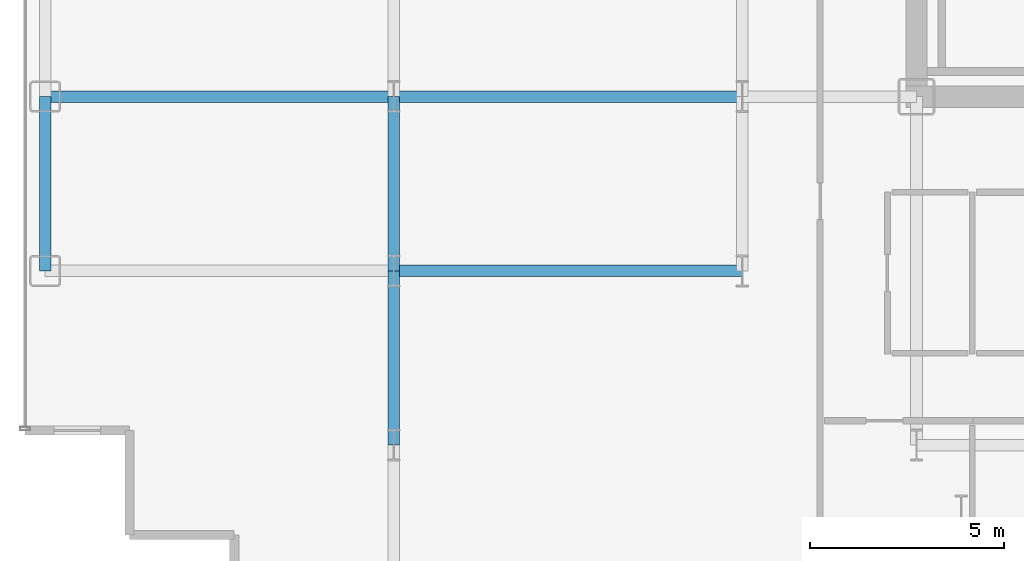
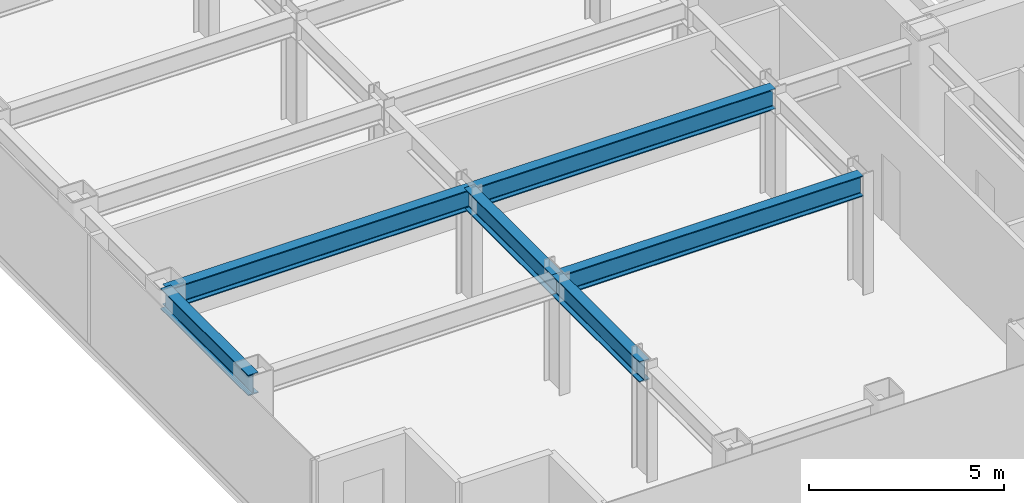
# One storey, part 4 of 22: 6 beams.
"""IFC4 building model written with IfcOpenShell, lengths in metres."""

from ifc_helpers import new_model, si_unit, direction, frame, origin, origin_2d, place, context, subcontext, project, spatial, i_section, extrude, source, transform, mapped, material, material_profile, profile_set, type_object, element, save


model = new_model("IFC4")

# Units and contexts
model_context = context("Model", 3, precision=1e-05, world=origin(), true_north=direction((0.0, 1.0)))
body_context = subcontext(model_context, "Body", "Model", "MODEL_VIEW")
ifc_project = project(units=[si_unit("LENGTHUNIT", "METRE"), si_unit("AREAUNIT", "SQUARE_METRE"), si_unit("VOLUMEUNIT", "CUBIC_METRE"), si_unit("PLANEANGLEUNIT", "RADIAN"), si_unit("MASSUNIT", "GRAM", prefix="KILO")], contexts=[model_context])

# Site, building, storey
site_placement = place(None, origin())
site = spatial("IfcSite", under=ifc_project, at=site_placement, CompositionType="ELEMENT")
building_placement = place(site_placement, origin())
building = spatial("IfcBuilding", under=site, at=building_placement, Name="Nefas-Gora Pilgrimage Tower", CompositionType="ELEMENT")
storey_placement = place(building_placement, frame((0.0, 0.0, 179.199951171875)))
storey = spatial("IfcBuildingStorey", under=building, at=storey_placement, Name="L44", CompositionType="ELEMENT", Elevation=179.199951171875)

# Beams
ifc_material = material(Name="Steel S355", Category="steel")
ifc_material_profile_1 = material_profile(ifc_material, i_section(OverallWidth=0.300048828125, OverallDepth=0.64990234375, WebThickness=0.01611328125, FlangeThickness=0.031005859375, FilletRadius=0.027099609375, at=origin_2d()), Name="HEB 650")
ifc_profile_set_1 = profile_set([ifc_material_profile_1], Name="Steel S355")
beam_type_1 = type_object("IfcBeamType", Name="BM-SPN-HEB500", PredefinedType="SPANDREL", material=ifc_profile_set_1)
shared_shape_1 = source(origin(), body_context, "Body", "SweptSolid", [
    extrude(i_section(OverallWidth=0.300048828125, OverallDepth=0.64990234375, WebThickness=0.01611328125, FlangeThickness=0.031005859375, FilletRadius=0.027099609375, at=origin_2d()), origin(), (0.0, 0.0, 1.0), 4.5),
])
beam_placement = place(storey_placement, frame((-33.75, -13.5, 3.22509765625), z_axis=(0.0, 1.0, 0.0), x_axis=(-1.0, 0.0, 0.0)))
element("IfcBeam", 1, at=beam_placement, inside=storey, type_object=beam_type_1, Name="L44 SP-02 beam", PredefinedType="SPANDREL", context=body_context, shape_type="MappedRepresentation", body=[
    mapped(shared_shape_1, transform((0.0, 0.0, 0.0), x_axis=(1.0, 0.0, 0.0), y_axis=(0.0, 1.0, 0.0), z_axis=(0.0, 0.0, 1.0), scale=1.0)),
])
ifc_material_profile_2 = material_profile(ifc_material, i_section(OverallWidth=0.300048828125, OverallDepth=0.64990234375, WebThickness=0.01611328125, FlangeThickness=0.031005859375, FilletRadius=0.027099609375, at=origin_2d()), Name="HEB 650")
ifc_profile_set_2 = profile_set([ifc_material_profile_2], Name="Steel S355")
beam_type_2 = type_object("IfcBeamType", Name="BM-GIR-HEB650", PredefinedType="BEAM", material=ifc_profile_set_2)
shared_shape_2 = source(origin(), body_context, "Body", "SweptSolid", [
    extrude(i_section(OverallWidth=0.300048828125, OverallDepth=0.64990234375, WebThickness=0.01611328125, FlangeThickness=0.031005859375, FilletRadius=0.027099609375, at=origin_2d()), origin(), (0.0, 0.0, 1.0), 9.0),
])
for number, where, z_axis, x_axis, name in (
    (2, (-33.75, -9.0, 3.22509765625), (1.0, 0.0, 0.0), (0.0, 1.0, 0.0), "L44 G-03 beam"),
    (3, (-24.75, -13.5, 3.22509765625), (1.0, 0.0, 0.0), (0.0, 1.0, 0.0), "L44 G-03 beam"),
    (4, (-24.75, -9.0, 3.22509765625), (1.0, 0.0, 0.0), (0.0, 1.0, 0.0), "L44 G-03 beam"),
):
    element("IfcBeam", number, at=place(storey_placement, frame(where, z_axis=z_axis, x_axis=x_axis)), inside=storey, type_object=beam_type_2, Name=name, PredefinedType="BEAM", context=body_context, shape_type="MappedRepresentation", body=[
        mapped(shared_shape_2, transform((0.0, 0.0, 0.0), x_axis=(1.0, 0.0, 0.0), y_axis=(0.0, 1.0, 0.0), z_axis=(0.0, 0.0, 1.0), scale=1.0)),
    ])
shared_shape_3 = source(origin(), body_context, "Body", "SweptSolid", [
    extrude(i_section(OverallWidth=0.300048828125, OverallDepth=0.64990234375, WebThickness=0.01611328125, FlangeThickness=0.031005859375, FilletRadius=0.027099609375, at=origin_2d()), origin(), (0.0, 0.0, 1.0), 4.5),
])
for number, where, z_axis, x_axis, name in (
    (5, (-24.75, -18.0, 3.22509765625), (0.0, 1.0, 0.0), (-1.0, 0.0, 0.0), "L44 G-03 beam"),
    (6, (-24.75, -13.5, 3.22509765625), (0.0, 1.0, 0.0), (-1.0, 0.0, 0.0), "L44 G-03 beam"),
):
    element("IfcBeam", number, at=place(storey_placement, frame(where, z_axis=z_axis, x_axis=x_axis)), inside=storey, type_object=beam_type_2, Name=name, PredefinedType="BEAM", context=body_context, shape_type="MappedRepresentation", body=[
        mapped(shared_shape_3, transform((0.0, 0.0, 0.0), x_axis=(1.0, 0.0, 0.0), y_axis=(0.0, 1.0, 0.0), z_axis=(0.0, 0.0, 1.0), scale=1.0)),
    ])

save(model, "model.ifc")
